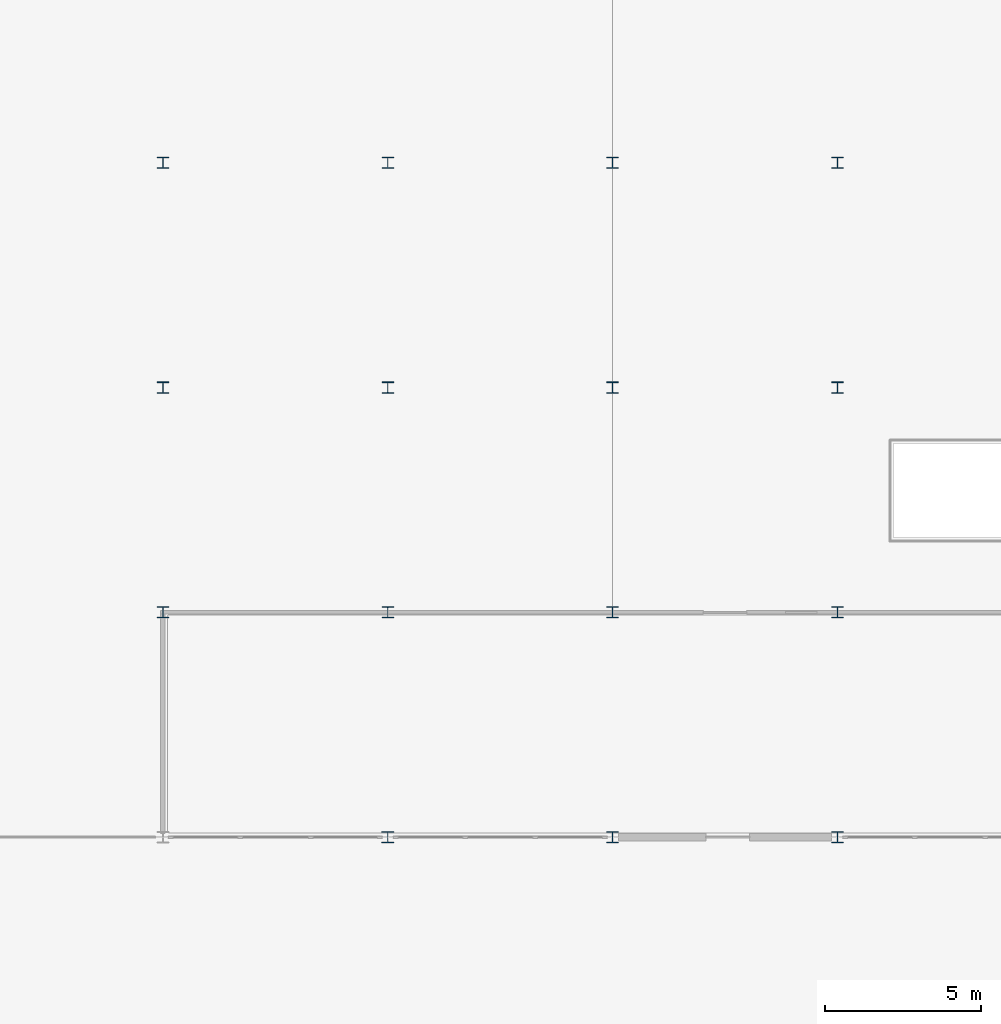
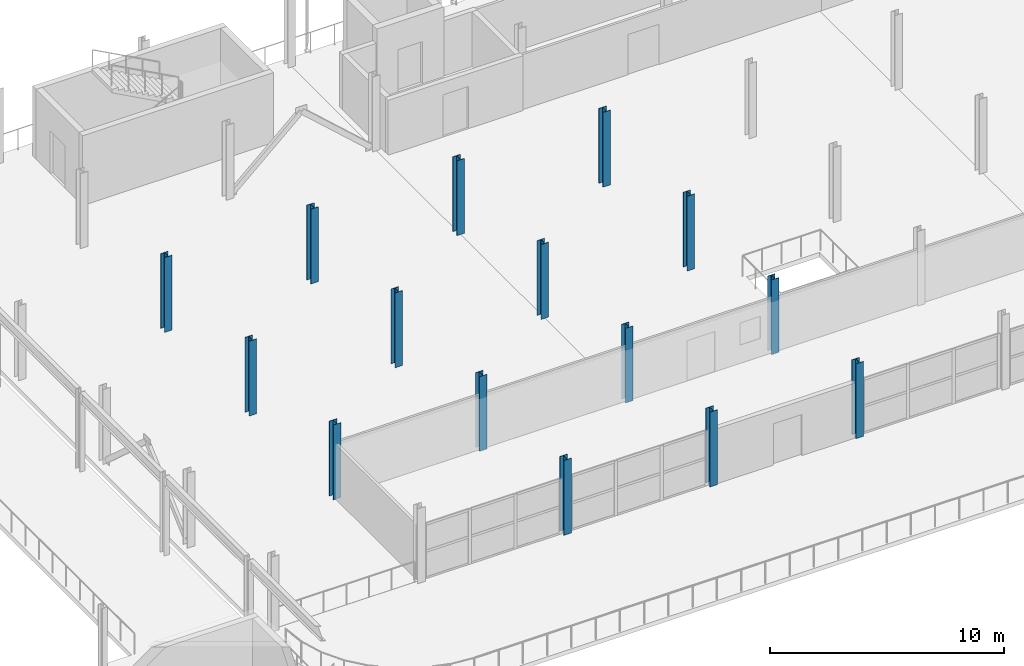
# One storey, part 4 of 40: 15 columns.
"""IFC4 building model written with IfcOpenShell, lengths in metres."""

from ifc_helpers import new_model, si_unit, direction, frame, origin, origin_2d, place, context, subcontext, project, spatial, i_section, extrude, material, material_profile, profile_set, type_object, element, save


model = new_model("IFC4")

# Units and contexts
model_context = context("Model", 3, precision=1e-05, world=origin(), true_north=direction((0.0, 1.0)))
body_context = subcontext(model_context, "Body", "Model", "MODEL_VIEW")
ifc_project = project(units=[si_unit("LENGTHUNIT", "METRE"), si_unit("AREAUNIT", "SQUARE_METRE"), si_unit("VOLUMEUNIT", "CUBIC_METRE"), si_unit("PLANEANGLEUNIT", "RADIAN"), si_unit("MASSUNIT", "GRAM", prefix="KILO")], contexts=[model_context])

# Site, building, storey
site_placement = place(None, origin())
site = spatial("IfcSite", under=ifc_project, at=site_placement, CompositionType="ELEMENT")
building_placement = place(site_placement, origin())
building = spatial("IfcBuilding", under=site, at=building_placement, Name="Vaelcorin Mobility Hub", CompositionType="ELEMENT")
storey_placement = place(building_placement, frame((0.0, 0.0, 17.10009765625)))
storey = spatial("IfcBuildingStorey", under=building, at=storey_placement, Name="L04", CompositionType="ELEMENT", Elevation=17.10009765625)

# Columns
ifc_material = material(Name="Steel ASTM A992 Grade 50", Category="steel")
ifc_material_profile_1 = material_profile(ifc_material, i_section(OverallWidth=0.37109375, OverallDepth=0.363037109375, WebThickness=0.01318359375, FlangeThickness=0.021728515625, FilletRadius=0.014892578125, at=origin_2d()), Name="W14X109")
ifc_profile_set_1 = profile_set([ifc_material_profile_1], Name="Steel ASTM A992 Grade 50")
column_type_1 = type_object("IfcColumnType", Name="COL-W14X109", PredefinedType="COLUMN", material=ifc_profile_set_1)
for number, where, z_axis, x_axis, name in (
    (1, (50.39990234375, 84.0, 0.0), (0.0, 0.0, 1.0), (1.0, 0.0, 0.0), "Column V4-X03Y02 L04"),
    (2, (57.60009765625, 84.0, 0.0), (0.0, 0.0, 1.0), (1.0, 0.0, 0.0), "Column V4-X04Y02 L04"),
    (3, (64.800048828125, 84.0, 0.0), (0.0, 0.0, 1.0), (1.0, 0.0, 0.0), "Column V4-X05Y02 L04"),
):
    element("IfcColumn", number, at=place(storey_placement, frame(where, z_axis=z_axis, x_axis=x_axis)), inside=storey, type_object=column_type_1, Name=name, PredefinedType="COLUMN", context=body_context, shape_type="SweptSolid", body=[
        extrude(i_section(OverallWidth=0.37109375, OverallDepth=0.363037109375, WebThickness=0.01318359375, FlangeThickness=0.021728515625, FilletRadius=0.014892578125, at=origin_2d()), origin(), (0.0, 0.0, 1.0), 3.89990234375),
    ])
ifc_material_profile_2 = material_profile(ifc_material, i_section(OverallWidth=0.367919921875, OverallDepth=0.35595703125, WebThickness=0.01123046875, FlangeThickness=0.01806640625, FilletRadius=0.014892578125, at=origin_2d()), Name="W14X90")
ifc_profile_set_2 = profile_set([ifc_material_profile_2], Name="Steel ASTM A992 Grade 50")
column_type_2 = type_object("IfcColumnType", Name="COL-W14X90", PredefinedType="COLUMN", material=ifc_profile_set_2)
for number, where, z_axis, x_axis, name in (
    (4, (43.199951171875, 91.199951171875, 0.0), (0.0, 0.0, 1.0), (1.0, 0.0, 0.0), "Column V4-X02Y03 L04"),
    (5, (43.199951171875, 98.39990234375, 0.0), (0.0, 0.0, 1.0), (1.0, 0.0, 0.0), "Column V4-X02Y04 L04"),
    (6, (43.199951171875, 105.60009765625, 0.0), (0.0, 0.0, 1.0), (1.0, 0.0, 0.0), "Column V4-X02Y05 L04"),
    (7, (50.39990234375, 91.199951171875, 0.0), (0.0, 0.0, 1.0), (1.0, 0.0, 0.0), "Column V4-X03Y03 L04"),
    (8, (50.39990234375, 98.39990234375, 0.0), (0.0, 0.0, 1.0), (1.0, 0.0, 0.0), "Column V4-X03Y04 L04"),
    (9, (50.39990234375, 105.60009765625, 0.0), (0.0, 0.0, 1.0), (1.0, 0.0, 0.0), "Column V4-X03Y05 L04"),
    (10, (57.60009765625, 91.199951171875, 0.0), (0.0, 0.0, 1.0), (1.0, 0.0, 0.0), "Column V4-X04Y03 L04"),
    (11, (57.60009765625, 98.39990234375, 0.0), (0.0, 0.0, 1.0), (1.0, 0.0, 0.0), "Column V4-X04Y04 L04"),
    (12, (57.60009765625, 105.60009765625, 0.0), (0.0, 0.0, 1.0), (1.0, 0.0, 0.0), "Column V4-X04Y05 L04"),
    (13, (64.800048828125, 91.199951171875, 0.0), (0.0, 0.0, 1.0), (1.0, 0.0, 0.0), "Column V4-X05Y03 L04"),
    (14, (64.800048828125, 98.39990234375, 0.0), (0.0, 0.0, 1.0), (1.0, 0.0, 0.0), "Column V4-X05Y04 L04"),
    (15, (64.800048828125, 105.60009765625, 0.0), (0.0, 0.0, 1.0), (1.0, 0.0, 0.0), "Column V4-X05Y05 L04"),
):
    element("IfcColumn", number, at=place(storey_placement, frame(where, z_axis=z_axis, x_axis=x_axis)), inside=storey, type_object=column_type_2, Name=name, PredefinedType="COLUMN", context=body_context, shape_type="SweptSolid", body=[
        extrude(i_section(OverallWidth=0.367919921875, OverallDepth=0.35595703125, WebThickness=0.01123046875, FlangeThickness=0.01806640625, FilletRadius=0.014892578125, at=origin_2d()), origin(), (0.0, 0.0, 1.0), 3.89990234375),
    ])

save(model, "model.ifc")
